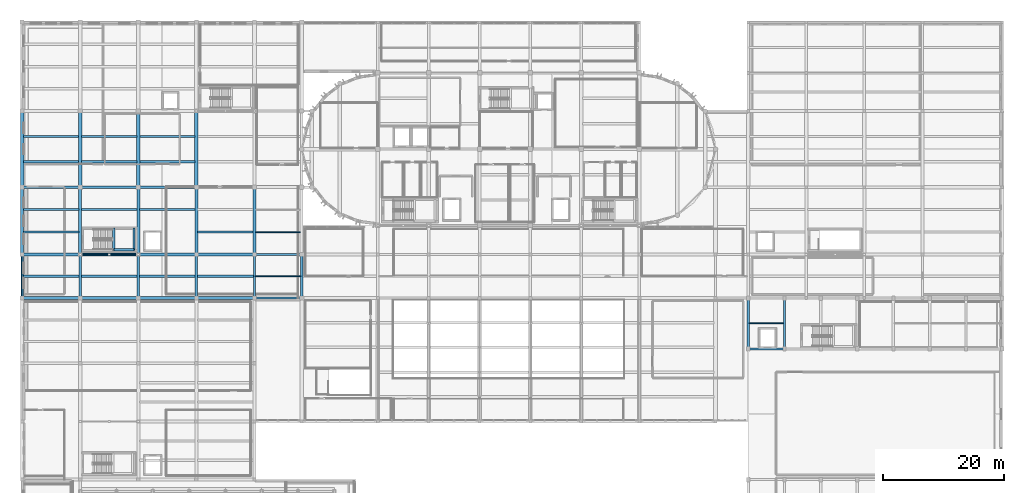
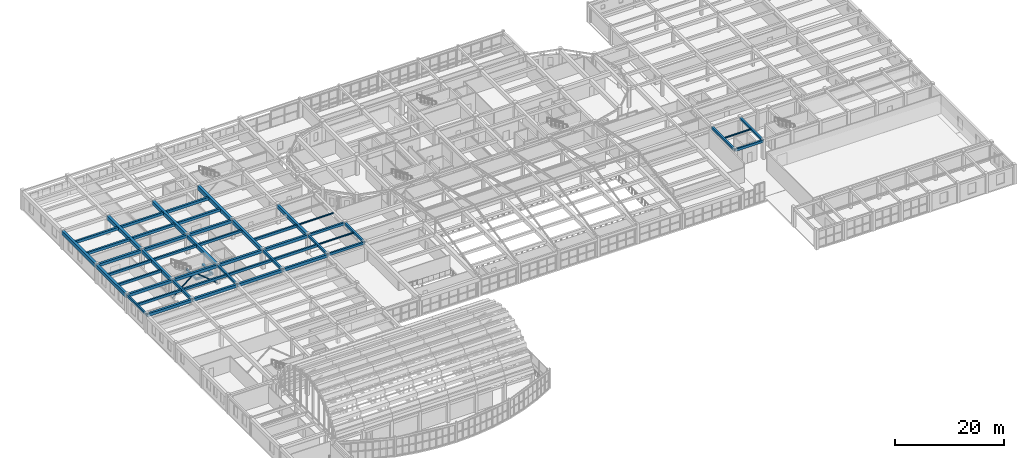
# One storey, part 34 of 91: 52 beams, 2 members.
"""IFC4 building model written with IfcOpenShell, lengths in metres."""

from ifc_helpers import new_model, si_unit, direction, frame, origin, origin_2d, place, context, subcontext, project, spatial, rectangle, hollow_rectangle, i_section, extrude, material, material_profile, profile_set, type_object, element, save


model = new_model("IFC4")

# Units and contexts
model_context = context("Model", 3, precision=1e-05, world=origin(), true_north=direction((0.0, 1.0)))
body_context = subcontext(model_context, "Body", "Model", "MODEL_VIEW")
ifc_project = project(units=[si_unit("LENGTHUNIT", "METRE"), si_unit("AREAUNIT", "SQUARE_METRE"), si_unit("VOLUMEUNIT", "CUBIC_METRE"), si_unit("PLANEANGLEUNIT", "RADIAN"), si_unit("MASSUNIT", "GRAM", prefix="KILO")], contexts=[model_context])

# Site, building, storey
site_placement = place(None, origin())
site = spatial("IfcSite", under=ifc_project, at=site_placement, CompositionType="ELEMENT")
building_placement = place(site_placement, origin())
building = spatial("IfcBuilding", under=site, at=building_placement, Name="Tarnavel Promenade Courthouse", CompositionType="ELEMENT")
storey_placement = place(building_placement, frame((0.0, 0.0, 9.89990234375)))
storey = spatial("IfcBuildingStorey", under=building, at=storey_placement, Name="L03", CompositionType="ELEMENT", Elevation=9.89990234375)

# Beams
ifc_material_1 = material(Name="Concrete C40/50", Category="concrete")
ifc_material_profile_1 = material_profile(ifc_material_1, rectangle(XDim=0.35009765625, YDim=0.550048828125, at=origin_2d()), Name="PT 350x550")
ifc_profile_set_1 = profile_set([ifc_material_profile_1], Name="Concrete C40/50")
beam_type_1 = type_object("IfcBeamType", Name="Concrete C40/50 BM-PT-350x550 (PT 350x550)", PredefinedType="JOIST", material=ifc_profile_set_1)
beam_1_placement = place(storey_placement, frame((0.1201171875, 70.800048828125, 3.97021484375), z_axis=(1.0, 0.0, 0.0), x_axis=(0.0, 1.0, 0.0)))
element("IfcBeam", 1, at=beam_1_placement, inside=storey, type_object=beam_type_1, Name="L03 Secondary Floor Rib 1847", PredefinedType="JOIST", context=body_context, shape_type="SweptSolid", body=[
    extrude(rectangle(XDim=0.35009765625, YDim=0.550048828125, at=origin_2d()), origin(), (0.0, 0.0, 1.0), 9.309814453125),
])
beam_2_placement = place(storey_placement, frame((9.77001953125, 70.800048828125, 3.97021484375), z_axis=(1.0, 0.0, 0.0), x_axis=(0.0, 1.0, 0.0)))
element("IfcBeam", 2, at=beam_2_placement, inside=storey, type_object=beam_type_1, Name="L03 Secondary Floor Rib 1848", PredefinedType="JOIST", context=body_context, shape_type="SweptSolid", body=[
    extrude(rectangle(XDim=0.35009765625, YDim=0.550048828125, at=origin_2d()), origin(), (0.0, 0.0, 1.0), 9.260009765625),
])
beam_3_placement = place(storey_placement, frame((19.3701171875, 70.800048828125, 3.97021484375), z_axis=(1.0, 0.0, 0.0), x_axis=(0.0, 1.0, 0.0)))
element("IfcBeam", 3, at=beam_3_placement, inside=storey, type_object=beam_type_1, Name="L03 Secondary Floor Rib 1849", PredefinedType="JOIST", context=body_context, shape_type="SweptSolid", body=[
    extrude(rectangle(XDim=0.35009765625, YDim=0.550048828125, at=origin_2d()), origin(), (0.0, 0.0, 1.0), 9.259765625),
])
beam_4_placement = place(storey_placement, frame((28.969970703125, 70.800048828125, 3.97021484375), z_axis=(1.0, 0.0, 0.0), x_axis=(0.0, 1.0, 0.0)))
element("IfcBeam", 4, at=beam_4_placement, inside=storey, type_object=beam_type_1, Name="L03 Secondary Floor Rib 1850", PredefinedType="JOIST", context=body_context, shape_type="SweptSolid", body=[
    extrude(rectangle(XDim=0.35009765625, YDim=0.550048828125, at=origin_2d()), origin(), (0.0, 0.0, 1.0), 9.260009765625),
])
for number, where, z_axis, x_axis, name in (
    (5, (0.219970703125, 78.10009765625, 3.97021484375), (1.0, 0.0, 0.0), (0.0, 1.0, 0.0), "L03 Secondary Floor Rib 1864"),
    (6, (0.219970703125, 81.800048828125, 3.97021484375), (1.0, 0.0, 0.0), (0.0, 1.0, 0.0), "L03 Secondary Floor Rib 1865"),
    (7, (9.820068359375, 81.800048828125, 3.97021484375), (1.0, 0.0, 0.0), (0.0, 1.0, 0.0), "L03 Secondary Floor Rib 1866"),
):
    element("IfcBeam", number, at=place(storey_placement, frame(where, z_axis=z_axis, x_axis=x_axis)), inside=storey, type_object=beam_type_1, Name=name, PredefinedType="JOIST", context=body_context, shape_type="SweptSolid", body=[
        extrude(rectangle(XDim=0.35009765625, YDim=0.550048828125, at=origin_2d()), origin(), (0.0, 0.0, 1.0), 9.159912109375),
    ])
beam_5_placement = place(storey_placement, frame((19.419921875, 81.800048828125, 3.97021484375), z_axis=(1.0, 0.0, 0.0), x_axis=(0.0, 1.0, 0.0)))
element("IfcBeam", 8, at=beam_5_placement, inside=storey, type_object=beam_type_1, Name="L03 Secondary Floor Rib 1867", PredefinedType="JOIST", context=body_context, shape_type="SweptSolid", body=[
    extrude(rectangle(XDim=0.35009765625, YDim=0.550048828125, at=origin_2d()), origin(), (0.0, 0.0, 1.0), 9.16015625),
])
beam_6_placement = place(storey_placement, frame((29.02001953125, 78.10009765625, 3.97021484375), z_axis=(1.0, 0.0, 0.0), x_axis=(0.0, 1.0, 0.0)))
element("IfcBeam", 9, at=beam_6_placement, inside=storey, type_object=beam_type_1, Name="L03 Secondary Floor Rib 1868", PredefinedType="JOIST", context=body_context, shape_type="SweptSolid", body=[
    extrude(rectangle(XDim=0.35009765625, YDim=0.550048828125, at=origin_2d()), origin(), (0.0, 0.0, 1.0), 9.159912109375),
])
ifc_material_profile_2 = material_profile(ifc_material_1, rectangle(XDim=0.39990234375, YDim=0.60009765625, at=origin_2d()), Name="PT 400x600")
ifc_profile_set_2 = profile_set([ifc_material_profile_2], Name="Concrete C40/50")
beam_type_2 = type_object("IfcBeamType", Name="Concrete C40/50 BM-PT-400x600 (PT 400x600)", PredefinedType="JOIST", material=ifc_profile_set_2)
for number, where, z_axis, x_axis, name in (
    (10, (0.2451171875, 89.699951171875, 3.945068359375), (1.0, 0.0, 0.0), (0.0, 1.0, 0.0), "L03 Secondary Floor Rib 1879"),
    (11, (0.2451171875, 93.89990234375, 3.945068359375), (1.0, 0.0, 0.0), (0.0, 1.0, 0.0), "L03 Secondary Floor Rib 1880"),
):
    element("IfcBeam", number, at=place(storey_placement, frame(where, z_axis=z_axis, x_axis=x_axis)), inside=storey, type_object=beam_type_2, Name=name, PredefinedType="JOIST", context=body_context, shape_type="SweptSolid", body=[
        extrude(rectangle(XDim=0.39990234375, YDim=0.60009765625, at=origin_2d()), origin(), (0.0, 0.0, 1.0), 9.10986328125),
    ])
for number, where, z_axis, x_axis, name in (
    (12, (9.844970703125, 89.699951171875, 3.945068359375), (1.0, 0.0, 0.0), (0.0, 1.0, 0.0), "L03 Secondary Floor Rib 1881"),
    (13, (9.844970703125, 93.89990234375, 3.945068359375), (1.0, 0.0, 0.0), (0.0, 1.0, 0.0), "L03 Secondary Floor Rib 1882"),
):
    element("IfcBeam", number, at=place(storey_placement, frame(where, z_axis=z_axis, x_axis=x_axis)), inside=storey, type_object=beam_type_2, Name=name, PredefinedType="JOIST", context=body_context, shape_type="SweptSolid", body=[
        extrude(rectangle(XDim=0.39990234375, YDim=0.60009765625, at=origin_2d()), origin(), (0.0, 0.0, 1.0), 9.110107421875),
    ])
for number, where, z_axis, x_axis, name in (
    (14, (19.445068359375, 89.699951171875, 3.945068359375), (1.0, 0.0, 0.0), (0.0, 1.0, 0.0), "L03 Secondary Floor Rib 1883"),
    (15, (19.445068359375, 93.89990234375, 3.945068359375), (1.0, 0.0, 0.0), (0.0, 1.0, 0.0), "L03 Secondary Floor Rib 1884"),
):
    element("IfcBeam", number, at=place(storey_placement, frame(where, z_axis=z_axis, x_axis=x_axis)), inside=storey, type_object=beam_type_2, Name=name, PredefinedType="JOIST", context=body_context, shape_type="SweptSolid", body=[
        extrude(rectangle(XDim=0.39990234375, YDim=0.60009765625, at=origin_2d()), origin(), (0.0, 0.0, 1.0), 9.10986328125),
    ])
ifc_material_profile_3 = material_profile(ifc_material_1, rectangle(XDim=0.5, YDim=0.800048828125, at=origin_2d()), Name="PT 500x800")
ifc_profile_set_3 = profile_set([ifc_material_profile_3], Name="Concrete C40/50")
beam_type_3 = type_object("IfcBeamType", Name="Concrete C40/50 BM-PT-500x800 (PT 500x800)", PredefinedType="T_BEAM", material=ifc_profile_set_3)
for number, where, z_axis, x_axis, name in (
    (16, (0.0, 74.39990234375, 3.84521484375), (0.0, 1.0, 0.0), (-1.0, 0.0, 0.0), "L03 Transverse Girder 1694"),
    (17, (9.60009765625, 74.39990234375, 3.84521484375), (0.0, 1.0, 0.0), (-1.0, 0.0, 0.0), "L03 Transverse Girder 1706"),
    (18, (19.199951171875, 74.39990234375, 3.84521484375), (0.0, 1.0, 0.0), (-1.0, 0.0, 0.0), "L03 Transverse Girder 1713"),
    (19, (28.800048828125, 74.39990234375, 3.84521484375), (0.0, 1.0, 0.0), (-1.0, 0.0, 0.0), "L03 Transverse Girder 1720"),
    (20, (38.39990234375, 74.39990234375, 3.84521484375), (0.0, 1.0, 0.0), (-1.0, 0.0, 0.0), "L03 Transverse Girder 1727"),
):
    element("IfcBeam", number, at=place(storey_placement, frame(where, z_axis=z_axis, x_axis=x_axis)), inside=storey, type_object=beam_type_3, Name=name, PredefinedType="T_BEAM", context=body_context, shape_type="SweptSolid", body=[
        extrude(rectangle(XDim=0.5, YDim=0.800048828125, at=origin_2d()), origin(), (0.0, 0.0, 1.0), 11.10009765625),
    ])
ifc_material_profile_4 = material_profile(ifc_material_1, rectangle(XDim=0.550048828125, YDim=0.85009765625, at=origin_2d()), Name="PT 550x850")
ifc_profile_set_4 = profile_set([ifc_material_profile_4], Name="Concrete C40/50")
beam_type_4 = type_object("IfcBeamType", Name="Concrete C40/50 BM-PT-550x850 (PT 550x850)", PredefinedType="T_BEAM", material=ifc_profile_set_4)
for number, where, z_axis, x_axis, name in (
    (21, (0.0, 85.5, 3.820068359375), (0.0, 1.0, 0.0), (-1.0, 0.0, 0.0), "L03 Transverse Girder 1695"),
    (22, (9.60009765625, 85.5, 3.820068359375), (0.0, 1.0, 0.0), (-1.0, 0.0, 0.0), "L03 Transverse Girder 1707"),
    (23, (19.199951171875, 85.5, 3.820068359375), (0.0, 1.0, 0.0), (-1.0, 0.0, 0.0), "L03 Transverse Girder 1714"),
    (24, (28.800048828125, 85.5, 3.820068359375), (0.0, 1.0, 0.0), (-1.0, 0.0, 0.0), "L03 Transverse Girder 1721"),
):
    element("IfcBeam", number, at=place(storey_placement, frame(where, z_axis=z_axis, x_axis=x_axis)), inside=storey, type_object=beam_type_4, Name=name, PredefinedType="T_BEAM", context=body_context, shape_type="SweptSolid", body=[
        extrude(rectangle(XDim=0.550048828125, YDim=0.85009765625, at=origin_2d()), origin(), (0.0, 0.0, 1.0), 12.60009765625),
    ])
ifc_material_profile_5 = material_profile(ifc_material_1, rectangle(XDim=0.35009765625, YDim=0.449951171875, at=origin_2d()), Name="RC 350x450")
ifc_profile_set_5 = profile_set([ifc_material_profile_5], Name="Concrete C40/50")
beam_type_5 = type_object("IfcBeamType", Name="Concrete C40/50 BM-RC-350x450 (RC 350x450)", PredefinedType="BEAM", material=ifc_profile_set_5)
for number, where, z_axis, x_axis, name in (
    (25, (15.14990234375, 75.02001953125, 1.820068359375), (0.0, 1.0, 0.0), (-1.0, 0.0, 0.0), "L03 ST-04 Mid-Landing Support Beam Near"),
    (26, (18.52001953125, 75.02001953125, 1.820068359375), (0.0, 1.0, 0.0), (-1.0, 0.0, 0.0), "L03 ST-04 Mid-Landing Support Beam Far"),
):
    element("IfcBeam", number, at=place(storey_placement, frame(where, z_axis=z_axis, x_axis=x_axis)), inside=storey, type_object=beam_type_5, Name=name, PredefinedType="BEAM", context=body_context, shape_type="SweptSolid", body=[
        extrude(rectangle(XDim=0.35009765625, YDim=0.449951171875, at=origin_2d()), origin(), (0.0, 0.0, 1.0), 3.719970703125),
    ])
beam_7_placement = place(storey_placement, frame((15.14990234375, 75.169921875, 1.820068359375), z_axis=(1.0, 0.0, 0.0), x_axis=(0.0, 1.0, 0.0)))
element("IfcBeam", 27, at=beam_7_placement, inside=storey, type_object=beam_type_5, Name="L03 ST-04 Mid-Landing Edge Trimmer", PredefinedType="BEAM", context=body_context, shape_type="SweptSolid", body=[
    extrude(rectangle(XDim=0.35009765625, YDim=0.449951171875, at=origin_2d()), origin(), (0.0, 0.0, 1.0), 3.3701171875),
])
ifc_material_profile_6 = material_profile(ifc_material_1, rectangle(XDim=0.35009765625, YDim=0.550048828125, at=origin_2d()), Name="RC 350x550")
ifc_profile_set_6 = profile_set([ifc_material_profile_6], Name="Concrete C40/50")
beam_type_6 = type_object("IfcBeamType", Name="Concrete C40/50 BM-RC-350x550 (RC 350x550)", PredefinedType="BEAM", material=ifc_profile_set_6)
beam_8_placement = place(storey_placement, frame((120.0, 58.800048828125, 3.97021484375), z_axis=(1.0, 0.0, 0.0), x_axis=(0.0, 1.0, 0.0)))
element("IfcBeam", 28, at=beam_8_placement, inside=storey, type_object=beam_type_6, Name="L03 Primary Longitudinal Beam 1581", PredefinedType="BEAM", context=body_context, shape_type="SweptSolid", body=[
    extrude(rectangle(XDim=0.35009765625, YDim=0.550048828125, at=origin_2d()), origin(), (0.0, 0.0, 1.0), 6.0),
])
for number, where, z_axis, x_axis, name in (
    (29, (38.39990234375, 67.199951171875, 3.97021484375), (1.0, 0.0, 0.0), (0.0, 1.0, 0.0), "L03 Primary Longitudinal Beam 1592"),
    (30, (38.39990234375, 74.39990234375, 3.97021484375), (1.0, 0.0, 0.0), (0.0, 1.0, 0.0), "L03 Primary Longitudinal Beam 1615"),
):
    element("IfcBeam", number, at=place(storey_placement, frame(where, z_axis=z_axis, x_axis=x_axis)), inside=storey, type_object=beam_type_6, Name=name, PredefinedType="BEAM", context=body_context, shape_type="SweptSolid", body=[
        extrude(rectangle(XDim=0.35009765625, YDim=0.550048828125, at=origin_2d()), origin(), (0.0, 0.0, 1.0), 7.800048828125),
    ])
ifc_material_profile_7 = material_profile(ifc_material_1, rectangle(XDim=0.39990234375, YDim=0.5, at=origin_2d()), Name="RC 400x500")
ifc_profile_set_7 = profile_set([ifc_material_profile_7], Name="Concrete C40/50")
beam_type_7 = type_object("IfcBeamType", Name="Concrete C40/50 BM-RC-400x500 (RC 400x500)", PredefinedType="BEAM", material=ifc_profile_set_7)
for number, where, z_axis, x_axis, name in (
    (31, (9.60009765625, 67.199951171875, 3.9951171875), (0.0, 1.0, 0.0), (-1.0, 0.0, 0.0), "L03 Transverse Girder 1705"),
    (32, (19.199951171875, 67.199951171875, 3.9951171875), (0.0, 1.0, 0.0), (-1.0, 0.0, 0.0), "L03 Transverse Girder 1712"),
    (33, (28.800048828125, 67.199951171875, 3.9951171875), (0.0, 1.0, 0.0), (-1.0, 0.0, 0.0), "L03 Transverse Girder 1719"),
    (34, (38.39990234375, 67.199951171875, 3.9951171875), (0.0, 1.0, 0.0), (-1.0, 0.0, 0.0), "L03 Transverse Girder 1726"),
    (35, (46.199951171875, 67.199951171875, 3.9951171875), (0.0, 1.0, 0.0), (-1.0, 0.0, 0.0), "L03 Transverse Girder 1731"),
):
    element("IfcBeam", number, at=place(storey_placement, frame(where, z_axis=z_axis, x_axis=x_axis)), inside=storey, type_object=beam_type_7, Name=name, PredefinedType="BEAM", context=body_context, shape_type="SweptSolid", body=[
        extrude(rectangle(XDim=0.39990234375, YDim=0.5, at=origin_2d()), origin(), (0.0, 0.0, 1.0), 7.199951171875),
    ])
for number, where, z_axis, x_axis, name in (
    (36, (120.0, 58.800048828125, 3.9951171875), (0.0, 1.0, 0.0), (-1.0, 0.0, 0.0), "L03 Transverse Girder 1781"),
    (37, (126.0, 58.800048828125, 3.9951171875), (0.0, 1.0, 0.0), (-1.0, 0.0, 0.0), "L03 Transverse Girder 1788"),
):
    element("IfcBeam", number, at=place(storey_placement, frame(where, z_axis=z_axis, x_axis=x_axis)), inside=storey, type_object=beam_type_7, Name=name, PredefinedType="BEAM", context=body_context, shape_type="SweptSolid", body=[
        extrude(rectangle(XDim=0.39990234375, YDim=0.5, at=origin_2d()), origin(), (0.0, 0.0, 1.0), 8.39990234375),
    ])
ifc_material_profile_8 = material_profile(ifc_material_1, rectangle(XDim=0.449951171875, YDim=0.64990234375, at=origin_2d()), Name="RC 450x650")
ifc_profile_set_8 = profile_set([ifc_material_profile_8], Name="Concrete C40/50")
beam_type_8 = type_object("IfcBeamType", Name="Concrete C40/50 BM-RC-450x650 (RC 450x650)", PredefinedType="T_BEAM", material=ifc_profile_set_8)
beam_9_placement = place(storey_placement, frame((0.0, 67.199951171875, 3.8701171875), z_axis=(1.0, 0.0, 0.0), x_axis=(0.0, 1.0, 0.0)))
element("IfcBeam", 38, at=beam_9_placement, inside=storey, type_object=beam_type_8, Name="L03 Primary Longitudinal Beam 1588", PredefinedType="T_BEAM", context=body_context, shape_type="SweptSolid", body=[
    extrude(rectangle(XDim=0.449951171875, YDim=0.64990234375, at=origin_2d()), origin(), (0.0, 0.0, 1.0), 9.60009765625),
])
beam_10_placement = place(storey_placement, frame((9.60009765625, 67.199951171875, 3.8701171875), z_axis=(1.0, 0.0, 0.0), x_axis=(0.0, 1.0, 0.0)))
element("IfcBeam", 39, at=beam_10_placement, inside=storey, type_object=beam_type_8, Name="L03 Primary Longitudinal Beam 1589", PredefinedType="T_BEAM", context=body_context, shape_type="SweptSolid", body=[
    extrude(rectangle(XDim=0.449951171875, YDim=0.64990234375, at=origin_2d()), origin(), (0.0, 0.0, 1.0), 9.599853515625),
])
beam_11_placement = place(storey_placement, frame((19.199951171875, 67.199951171875, 3.8701171875), z_axis=(1.0, 0.0, 0.0), x_axis=(0.0, 1.0, 0.0)))
element("IfcBeam", 40, at=beam_11_placement, inside=storey, type_object=beam_type_8, Name="L03 Primary Longitudinal Beam 1590", PredefinedType="T_BEAM", context=body_context, shape_type="SweptSolid", body=[
    extrude(rectangle(XDim=0.449951171875, YDim=0.64990234375, at=origin_2d()), origin(), (0.0, 0.0, 1.0), 9.60009765625),
])
beam_12_placement = place(storey_placement, frame((28.800048828125, 67.199951171875, 3.8701171875), z_axis=(1.0, 0.0, 0.0), x_axis=(0.0, 1.0, 0.0)))
element("IfcBeam", 41, at=beam_12_placement, inside=storey, type_object=beam_type_8, Name="L03 Primary Longitudinal Beam 1591", PredefinedType="T_BEAM", context=body_context, shape_type="SweptSolid", body=[
    extrude(rectangle(XDim=0.449951171875, YDim=0.64990234375, at=origin_2d()), origin(), (0.0, 0.0, 1.0), 9.599853515625),
])
beam_13_placement = place(storey_placement, frame((0.0, 74.39990234375, 3.920166015625), z_axis=(1.0, 0.0, 0.0), x_axis=(0.0, 1.0, 0.0)))
element("IfcBeam", 42, at=beam_13_placement, inside=storey, type_object=beam_type_8, Name="L03 Primary Longitudinal Beam 1611", PredefinedType="T_BEAM", context=body_context, shape_type="SweptSolid", body=[
    extrude(rectangle(XDim=0.449951171875, YDim=0.64990234375, at=origin_2d()), origin(), (0.0, 0.0, 1.0), 9.60009765625),
])
beam_14_placement = place(storey_placement, frame((9.60009765625, 74.39990234375, 3.920166015625), z_axis=(1.0, 0.0, 0.0), x_axis=(0.0, 1.0, 0.0)))
element("IfcBeam", 43, at=beam_14_placement, inside=storey, type_object=beam_type_8, Name="L03 Primary Longitudinal Beam 1612", PredefinedType="T_BEAM", context=body_context, shape_type="SweptSolid", body=[
    extrude(rectangle(XDim=0.449951171875, YDim=0.64990234375, at=origin_2d()), origin(), (0.0, 0.0, 1.0), 9.599853515625),
])
beam_15_placement = place(storey_placement, frame((19.199951171875, 74.39990234375, 3.920166015625), z_axis=(1.0, 0.0, 0.0), x_axis=(0.0, 1.0, 0.0)))
element("IfcBeam", 44, at=beam_15_placement, inside=storey, type_object=beam_type_8, Name="L03 Primary Longitudinal Beam 1613", PredefinedType="T_BEAM", context=body_context, shape_type="SweptSolid", body=[
    extrude(rectangle(XDim=0.449951171875, YDim=0.64990234375, at=origin_2d()), origin(), (0.0, 0.0, 1.0), 9.60009765625),
])
beam_16_placement = place(storey_placement, frame((28.800048828125, 74.39990234375, 3.920166015625), z_axis=(1.0, 0.0, 0.0), x_axis=(0.0, 1.0, 0.0)))
element("IfcBeam", 45, at=beam_16_placement, inside=storey, type_object=beam_type_8, Name="L03 Primary Longitudinal Beam 1614", PredefinedType="T_BEAM", context=body_context, shape_type="SweptSolid", body=[
    extrude(rectangle(XDim=0.449951171875, YDim=0.64990234375, at=origin_2d()), origin(), (0.0, 0.0, 1.0), 9.599853515625),
])
beam_17_placement = place(storey_placement, frame((0.0, 85.5, 3.920166015625), z_axis=(1.0, 0.0, 0.0), x_axis=(0.0, 1.0, 0.0)))
element("IfcBeam", 46, at=beam_17_placement, inside=storey, type_object=beam_type_8, Name="L03 Primary Longitudinal Beam 1633", PredefinedType="T_BEAM", context=body_context, shape_type="SweptSolid", body=[
    extrude(rectangle(XDim=0.449951171875, YDim=0.64990234375, at=origin_2d()), origin(), (0.0, 0.0, 1.0), 9.60009765625),
])
beam_18_placement = place(storey_placement, frame((9.60009765625, 85.5, 3.920166015625), z_axis=(1.0, 0.0, 0.0), x_axis=(0.0, 1.0, 0.0)))
element("IfcBeam", 47, at=beam_18_placement, inside=storey, type_object=beam_type_8, Name="L03 Primary Longitudinal Beam 1634", PredefinedType="T_BEAM", context=body_context, shape_type="SweptSolid", body=[
    extrude(rectangle(XDim=0.449951171875, YDim=0.64990234375, at=origin_2d()), origin(), (0.0, 0.0, 1.0), 9.599853515625),
])
beam_19_placement = place(storey_placement, frame((19.199951171875, 85.5, 3.920166015625), z_axis=(1.0, 0.0, 0.0), x_axis=(0.0, 1.0, 0.0)))
element("IfcBeam", 48, at=beam_19_placement, inside=storey, type_object=beam_type_8, Name="L03 Primary Longitudinal Beam 1635", PredefinedType="T_BEAM", context=body_context, shape_type="SweptSolid", body=[
    extrude(rectangle(XDim=0.449951171875, YDim=0.64990234375, at=origin_2d()), origin(), (0.0, 0.0, 1.0), 9.60009765625),
])
ifc_material_profile_9 = material_profile(ifc_material_1, rectangle(XDim=0.300048828125, YDim=0.5, at=origin_2d()), Name="RC 300x500")
ifc_profile_set_9 = profile_set([ifc_material_profile_9], Name="Concrete C40/50")
beam_type_9 = type_object("IfcBeamType", Name="Concrete C40/50 BM-SP-300x500 (RC 300x500)", PredefinedType="SPANDREL", material=ifc_profile_set_9)
beam_20_placement = place(storey_placement, frame((0.0, 67.199951171875, 3.9951171875), z_axis=(0.0, 1.0, 0.0), x_axis=(-1.0, 0.0, 0.0)))
element("IfcBeam", 49, at=beam_20_placement, inside=storey, type_object=beam_type_9, Name="L03 Transverse Girder 1693", PredefinedType="SPANDREL", context=body_context, shape_type="SweptSolid", body=[
    extrude(rectangle(XDim=0.300048828125, YDim=0.5, at=origin_2d()), origin(), (0.0, 0.0, 1.0), 7.199951171875),
])
ifc_material_2 = material(Name="Steel S355J2", Category="steel")
ifc_material_profile_10 = material_profile(ifc_material_2, i_section(OverallWidth=0.159912109375, OverallDepth=0.330078125, WebThickness=0.007568359375, FlangeThickness=0.011474609375, FilletRadius=0.01806640625, at=origin_2d()), Name="IPE 330")
ifc_profile_set_10 = profile_set([ifc_material_profile_10], Name="Steel S355J2")
beam_type_10 = type_object("IfcBeamType", Name="Steel S355J2 BM-ST-IPE330 (IPE 330)", PredefinedType="JOIST", material=ifc_profile_set_10)
beam_21_placement = place(storey_placement, frame((38.570068359375, 70.800048828125, 4.080078125), z_axis=(1.0, 0.0, 0.0), x_axis=(0.0, 1.0, 0.0)))
element("IfcBeam", 50, at=beam_21_placement, inside=storey, type_object=beam_type_10, Name="L03 Secondary Floor Rib 1851", PredefinedType="JOIST", context=body_context, shape_type="SweptSolid", body=[
    extrude(i_section(OverallWidth=0.159912109375, OverallDepth=0.330078125, WebThickness=0.007568359375, FlangeThickness=0.011474609375, FilletRadius=0.01806640625, at=origin_2d()), origin(), (0.0, 0.0, 1.0), 7.4599609375),
])
beam_22_placement = place(storey_placement, frame((38.6201171875, 78.10009765625, 4.080078125), z_axis=(1.0, 0.0, 0.0), x_axis=(0.0, 1.0, 0.0)))
element("IfcBeam", 51, at=beam_22_placement, inside=storey, type_object=beam_type_10, Name="L03 Secondary Floor Rib 1870", PredefinedType="JOIST", context=body_context, shape_type="SweptSolid", body=[
    extrude(i_section(OverallWidth=0.159912109375, OverallDepth=0.330078125, WebThickness=0.007568359375, FlangeThickness=0.011474609375, FilletRadius=0.01806640625, at=origin_2d()), origin(), (0.0, 0.0, 1.0), 7.35986328125),
])
beam_23_placement = place(storey_placement, frame((120.169921875, 63.0, 4.080078125), z_axis=(1.0, 0.0, 0.0), x_axis=(0.0, 1.0, 0.0)))
element("IfcBeam", 52, at=beam_23_placement, inside=storey, type_object=beam_type_10, Name="L03 Secondary Floor Rib 1956", PredefinedType="JOIST", context=body_context, shape_type="SweptSolid", body=[
    extrude(i_section(OverallWidth=0.159912109375, OverallDepth=0.330078125, WebThickness=0.007568359375, FlangeThickness=0.011474609375, FilletRadius=0.01806640625, at=origin_2d()), origin(), (0.0, 0.0, 1.0), 5.66015625),
])

# Members
ifc_material_profile_11 = material_profile(ifc_material_2, hollow_rectangle(XDim=0.199951171875, YDim=0.199951171875, WallThickness=0.012451171875, InnerFilletRadius=0.012451171875, OuterFilletRadius=0.02490234375, at=origin_2d()), Name="SHS 200x200x12.5")
ifc_profile_set_11 = profile_set([ifc_material_profile_11], Name="Steel S355J2")
member_type = type_object("IfcMemberType", Name="Steel S355J2 MEM-BR-SHS200 (SHS 200x200x12.5)", PredefinedType="BRACE", material=ifc_profile_set_11)
member_1_placement = place(storey_placement, frame((9.60009765625, 74.39990234375, 0.0), z_axis=(0.768592865874, 0.0, 0.639738232816), x_axis=(0.0, 1.0, 0.0)))
element("IfcMember", 53, at=member_1_placement, inside=storey, type_object=member_type, Name="L03 V2 Chevron Brace A 031", PredefinedType="BRACE", context=body_context, shape_type="SweptSolid", body=[
    extrude(hollow_rectangle(XDim=0.199951171875, YDim=0.199951171875, WallThickness=0.012451171875, InnerFilletRadius=0.012451171875, OuterFilletRadius=0.02490234375, at=origin_2d()), origin(), (0.0, 0.0, 1.0), 6.244873046875),
])
member_2_placement = place(storey_placement, frame((19.199951171875, 74.39990234375, 0.0), z_axis=(-0.76860886506, 0.0, 0.639719010622), x_axis=(0.0, -1.0, 0.0)))
element("IfcMember", 54, at=member_2_placement, inside=storey, type_object=member_type, Name="L03 V2 Chevron Brace B 031", PredefinedType="BRACE", context=body_context, shape_type="SweptSolid", body=[
    extrude(hollow_rectangle(XDim=0.199951171875, YDim=0.199951171875, WallThickness=0.012451171875, InnerFilletRadius=0.012451171875, OuterFilletRadius=0.02490234375, at=origin_2d()), origin(), (0.0, 0.0, 1.0), 6.2451171875),
])

save(model, "model.ifc")
